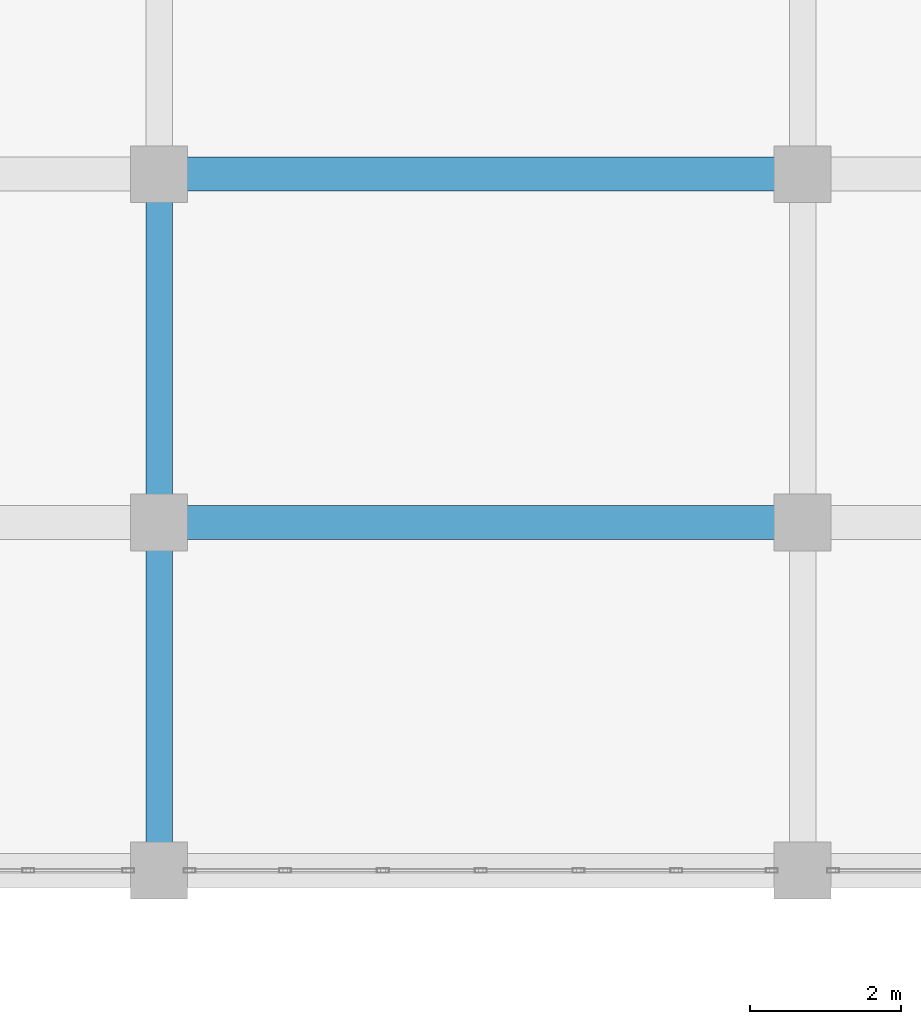
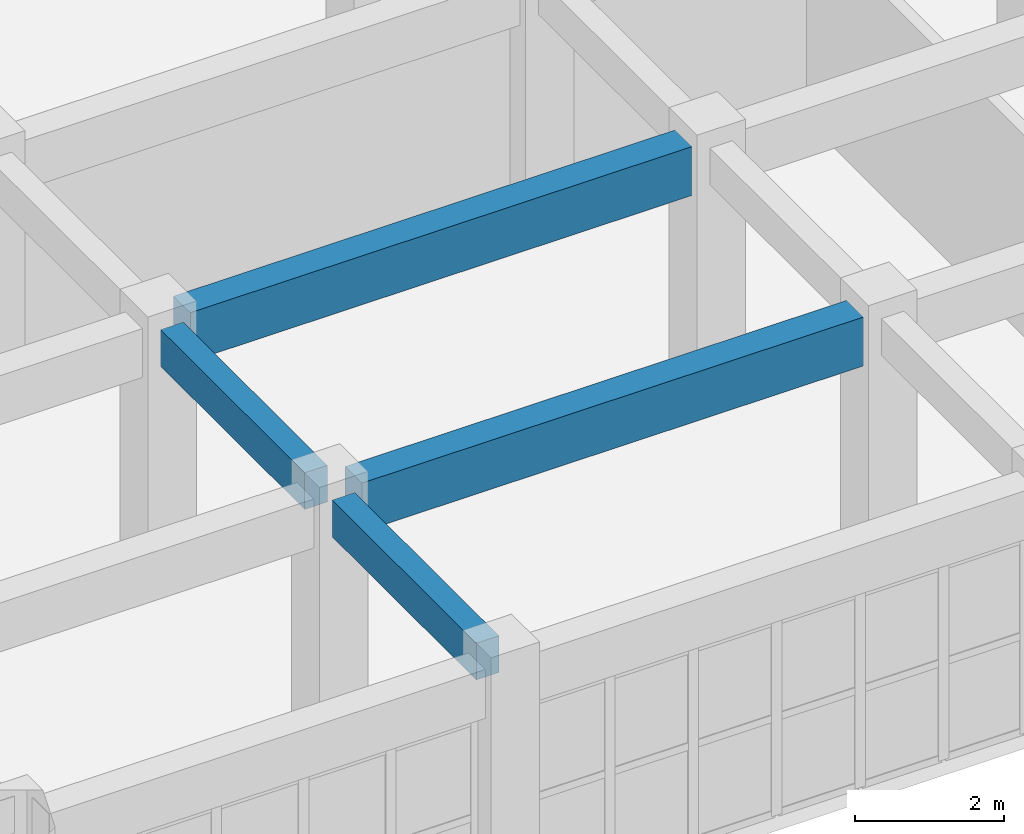
# One storey, part 28 of 116: 4 beams.
"""IFC4 building model written with IfcOpenShell, lengths in metres."""

from ifc_helpers import new_model, si_unit, direction, frame, origin, origin_2d, place, context, subcontext, project, spatial, rectangle, extrude, material, material_profile, profile_set, type_object, element, save


model = new_model("IFC4")

# Units and contexts
model_context = context("Model", 3, precision=1e-05, world=origin(), true_north=direction((0.0, 1.0)))
body_context = subcontext(model_context, "Body", "Model", "MODEL_VIEW")
ifc_project = project(units=[si_unit("LENGTHUNIT", "METRE"), si_unit("AREAUNIT", "SQUARE_METRE"), si_unit("VOLUMEUNIT", "CUBIC_METRE"), si_unit("PLANEANGLEUNIT", "RADIAN"), si_unit("MASSUNIT", "GRAM", prefix="KILO")], contexts=[model_context])

# Site, building, storey
site_placement = place(None, origin())
site = spatial("IfcSite", under=ifc_project, at=site_placement, CompositionType="ELEMENT")
building_placement = place(site_placement, origin())
building = spatial("IfcBuilding", under=site, at=building_placement, Name="Muzn Square Opera House", CompositionType="ELEMENT")
storey_placement = place(building_placement, frame((0.0, 0.0, 5.39990234375)))
storey = spatial("IfcBuildingStorey", under=building, at=storey_placement, Name="L01", CompositionType="ELEMENT", Elevation=5.39990234375)

# Beams
ifc_material = material(Name="Concrete C40/50", Category="concrete")
ifc_material_profile_1 = material_profile(ifc_material, rectangle(XDim=0.35009765625, YDim=0.60009765625, at=origin_2d()), Name="RCB 350x600", Category="concrete")
ifc_profile_set_1 = profile_set([ifc_material_profile_1], Name="Concrete C40/50")
beam_type_1 = type_object("IfcBeamType", Name="Primary Girder 350x600", PredefinedType="BEAM", material=ifc_profile_set_1)
beam_1_placement = place(storey_placement, frame((26.5, 54.56689453125, 3.820068359375), z_axis=(0.0, 1.0, 0.0), x_axis=(-1.0, 0.0, 0.0)))
element("IfcBeam", 1, at=beam_1_placement, inside=storey, type_object=beam_type_1, Name="Primary Girder BM-L01-BM-PG600-265_546_265_584-1575", PredefinedType="BEAM", context=body_context, shape_type="SweptSolid", body=[
    extrude(rectangle(XDim=0.35009765625, YDim=0.60009765625, at=origin_2d()), origin(), (0.0, 0.0, 1.0), 3.8662109375),
])
beam_2_placement = place(storey_placement, frame((26.5, 59.1669921875, 3.820068359375), z_axis=(0.0, 1.0, 0.0), x_axis=(-1.0, 0.0, 0.0)))
element("IfcBeam", 2, at=beam_2_placement, inside=storey, type_object=beam_type_1, Name="Primary Girder BM-L01-BM-PG600-265_592_265_630-1576", PredefinedType="BEAM", context=body_context, shape_type="SweptSolid", body=[
    extrude(rectangle(XDim=0.35009765625, YDim=0.60009765625, at=origin_2d()), origin(), (0.0, 0.0, 1.0), 3.865966796875),
])
ifc_material_profile_2 = material_profile(ifc_material, rectangle(XDim=0.449951171875, YDim=0.800048828125, at=origin_2d()), Name="RCB 450x800", Category="concrete")
ifc_profile_set_2 = profile_set([ifc_material_profile_2], Name="Concrete C40/50")
beam_type_2 = type_object("IfcBeamType", Name="Primary Girder 450x800", PredefinedType="BEAM", material=ifc_profile_set_2)
for number, where, z_axis, x_axis, name in (
    (3, (26.866943359375, 58.800048828125, 3.72021484375), (1.0, 0.0, 0.0), (0.0, 1.0, 0.0), "Primary Girder BM-L01-BM-PG800-269_588_346_588-1384"),
    (4, (26.866943359375, 63.39990234375, 3.72021484375), (1.0, 0.0, 0.0), (0.0, 1.0, 0.0), "Primary Girder BM-L01-BM-PG800-269_634_346_634-1398"),
):
    element("IfcBeam", number, at=place(storey_placement, frame(where, z_axis=z_axis, x_axis=x_axis)), inside=storey, type_object=beam_type_2, Name=name, PredefinedType="BEAM", context=body_context, shape_type="SweptSolid", body=[
        extrude(rectangle(XDim=0.449951171875, YDim=0.800048828125, at=origin_2d()), origin(), (0.0, 0.0, 1.0), 7.76611328125),
    ])

save(model, "model.ifc")
